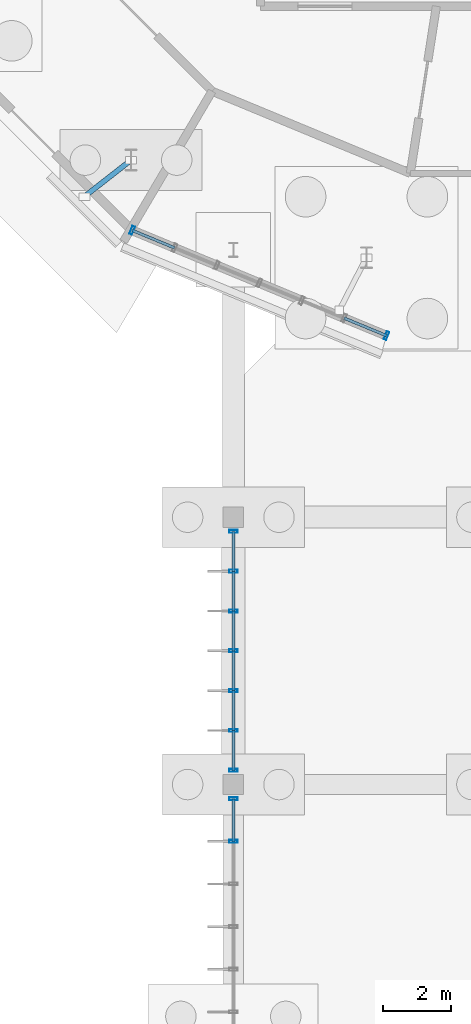
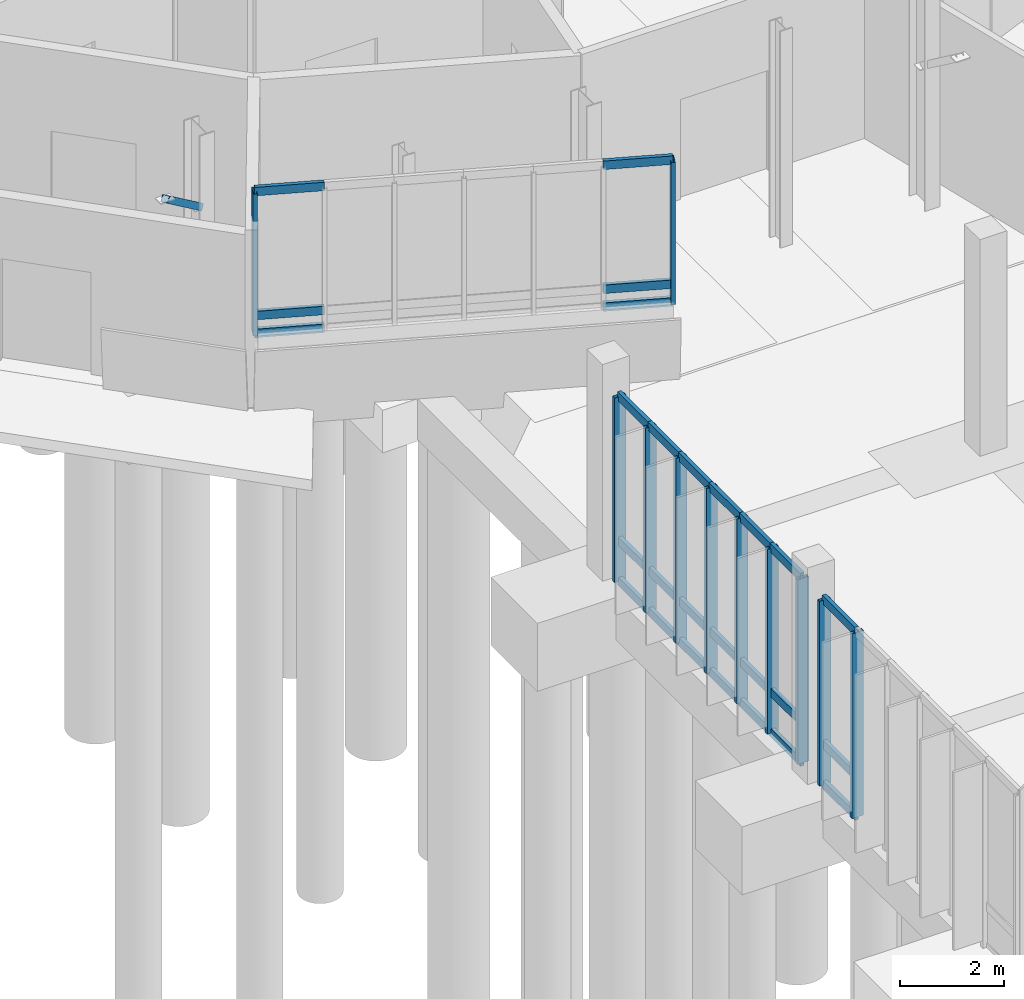
# One storey, part 33 of 119: 39 members, 3 elements without a shape of their own.
"""IFC4 building model written with IfcOpenShell, lengths in metres."""

from ifc_helpers import new_model, si_unit, derived_unit, direction, frame, origin, origin_2d, place, context, subcontext, project, spatial, hollow_rectangle, extrude, material, layer, layer_set, material_profile, profile_set, type_object, element, aggregate, save


model = new_model("IFC4")

# Units and contexts
model_context = context("Model", 3, precision=1e-05, world=origin(), true_north=direction((0.0, 1.0)))
body_context = subcontext(model_context, "Body", "Model", "MODEL_VIEW")
ifc_project = project(units=[si_unit("LENGTHUNIT", "METRE"), si_unit("AREAUNIT", "SQUARE_METRE"), si_unit("VOLUMEUNIT", "CUBIC_METRE"), si_unit("PLANEANGLEUNIT", "RADIAN"), si_unit("MASSUNIT", "GRAM", prefix="KILO"), derived_unit("THERMALTRANSMITTANCEUNIT", [(si_unit("MASSUNIT", "GRAM", prefix="KILO"), 1), (si_unit("TIMEUNIT", "SECOND"), -3), (si_unit("THERMODYNAMICTEMPERATUREUNIT", "KELVIN"), -1)])], contexts=[model_context])

# Site, building, storey
site_placement = place(None, origin())
site = spatial("IfcSite", under=ifc_project, at=site_placement, CompositionType="ELEMENT")
building_placement = place(site_placement, origin())
building = spatial("IfcBuilding", under=site, at=building_placement, Name="Makaiwela Harbour Ferry Terminal", CompositionType="ELEMENT")
storey_placement = place(building_placement, origin())
storey = spatial("IfcBuildingStorey", under=building, at=storey_placement, Name="L00", CompositionType="ELEMENT", Elevation=0.0)

# Curtain wall, members
ifc_material_1 = material(Name="Marine anodised aluminium 6063-T6", Category="aluminium")
ifc_layer_1 = layer(ifc_material_1, 0.199951171875)
ifc_layer_set_1 = layer_set([ifc_layer_1], Name="Marine anodised aluminium 6063-T6")
curtain_wall_type_1 = type_object("IfcCurtainWallType", Name="ENV-CW-01", PredefinedType="USERDEFINED", material=ifc_layer_set_1)
curtain_wall_1_placement = place(storey_placement, origin())
curtain_wall_1 = element("IfcCurtainWall", 1, at=curtain_wall_1_placement, inside=storey, type_object=curtain_wall_type_1, Name="Unitised Curtain Wall CWA-008", ObjectType="UNITIZED CURTAIN WALL", PredefinedType="USERDEFINED")
ifc_material_profile_1 = material_profile(ifc_material_1, hollow_rectangle(XDim=0.0849609375, YDim=0.25, WallThickness=0.0048828125, at=origin_2d()), Name="CWM-250X85")
ifc_profile_set_1 = profile_set([ifc_material_profile_1], Name="Marine anodised aluminium 6063-T6")
member_type_1 = type_object("IfcMemberType", Name="CW-MUL-250", PredefinedType="MULLION", material=ifc_profile_set_1)
member_1_placement = place(storey_placement, frame((26.41064453125, 49.9775390625, 1.47998046875), z_axis=(0.0, 0.0, 1.0), x_axis=(-0.923879532511, 0.382683432365, 0.0)))
member_1 = element("IfcMember", 2, at=member_1_placement, type_object=member_type_1, Name="Curtain Wall Mullion CWA-008-1", PredefinedType="MULLION", context=body_context, shape_type="SweptSolid", body=[
    extrude(hollow_rectangle(XDim=0.0849609375, YDim=0.25, WallThickness=0.0048828125, at=origin_2d()), origin(), (0.0, 0.0, 1.0), 3.340087890625),
])
member_2_placement = place(storey_placement, frame((33.92529296875, 46.864990234375, 1.47998046875), z_axis=(0.0, 0.0, 1.0), x_axis=(-0.923879532511, 0.382683432365, 0.0)))
member_2 = element("IfcMember", 3, at=member_2_placement, type_object=member_type_1, Name="Curtain Wall Mullion CWA-008-7", PredefinedType="MULLION", context=body_context, shape_type="SweptSolid", body=[
    extrude(hollow_rectangle(XDim=0.0849609375, YDim=0.25, WallThickness=0.0048828125, at=origin_2d()), origin(), (0.0, 0.0, 1.0), 3.340087890625),
])

ifc_layer_2 = layer(ifc_material_1, 0.199951171875)
ifc_layer_set_2 = layer_set([ifc_layer_2], Name="Marine anodised aluminium 6063-T6")
curtain_wall_type_2 = type_object("IfcCurtainWallType", Name="ENV-CW-10", PredefinedType="USERDEFINED", material=ifc_layer_set_2)
curtain_wall_2_placement = place(storey_placement, origin())
curtain_wall_2 = element("IfcCurtainWall", 4, at=curtain_wall_2_placement, inside=storey, type_object=curtain_wall_type_2, Name="Unitised Curtain Wall CWA-114", ObjectType="UNITIZED CURTAIN WALL", PredefinedType="USERDEFINED")
member_3_placement = place(storey_placement, frame((29.39990234375, 31.919921875, 0.0), z_axis=(0.0, 0.0, 1.0), x_axis=(0.0, 1.0, 0.0)))
member_3 = element("IfcMember", 5, at=member_3_placement, type_object=member_type_1, Name="Curtain Wall Mullion CWA-114-6", PredefinedType="MULLION", context=body_context, shape_type="SweptSolid", body=[
    extrude(hollow_rectangle(XDim=0.0849609375, YDim=0.25, WallThickness=0.0048828125, at=origin_2d()), origin(), (0.0, 0.0, 1.0), 4.35009765625),
])
member_4_placement = place(storey_placement, frame((29.39990234375, 33.179931640625, 0.0), z_axis=(0.0, 0.0, 1.0), x_axis=(0.0, 1.0, 0.0)))
member_4 = element("IfcMember", 6, at=member_4_placement, type_object=member_type_1, Name="Curtain Wall Mullion CWA-114-7", PredefinedType="MULLION", context=body_context, shape_type="SweptSolid", body=[
    extrude(hollow_rectangle(XDim=0.0849609375, YDim=0.25, WallThickness=0.0048828125, at=origin_2d()), origin(), (0.0, 0.0, 1.0), 4.35009765625),
])

ifc_layer_3 = layer(ifc_material_1, 0.199951171875)
ifc_layer_set_3 = layer_set([ifc_layer_3], Name="Marine anodised aluminium 6063-T6")
curtain_wall_type_3 = type_object("IfcCurtainWallType", Name="ENV-CW-12", PredefinedType="USERDEFINED", material=ifc_layer_set_3)
curtain_wall_3_placement = place(storey_placement, origin())
curtain_wall_3 = element("IfcCurtainWall", 7, at=curtain_wall_3_placement, inside=storey, type_object=curtain_wall_type_3, Name="Unitised Curtain Wall CWA-117", ObjectType="UNITIZED CURTAIN WALL", PredefinedType="USERDEFINED")
member_5_placement = place(storey_placement, frame((29.39990234375, 34.02001953125, 0.0), z_axis=(0.0, 0.0, 1.0), x_axis=(0.0, 1.0, 0.0)))
member_5 = element("IfcMember", 8, at=member_5_placement, type_object=member_type_1, Name="Curtain Wall Mullion CWA-117-1", PredefinedType="MULLION", context=body_context, shape_type="SweptSolid", body=[
    extrude(hollow_rectangle(XDim=0.0849609375, YDim=0.25, WallThickness=0.0048828125, at=origin_2d()), origin(), (0.0, 0.0, 1.0), 4.35009765625),
])
member_6_placement = place(storey_placement, frame((29.39990234375, 35.19677734375, 0.0), z_axis=(0.0, 0.0, 1.0), x_axis=(0.0, 1.0, 0.0)))
member_6 = element("IfcMember", 9, at=member_6_placement, type_object=member_type_1, Name="Curtain Wall Mullion CWA-117-2", PredefinedType="MULLION", context=body_context, shape_type="SweptSolid", body=[
    extrude(hollow_rectangle(XDim=0.0849609375, YDim=0.25, WallThickness=0.0048828125, at=origin_2d()), origin(), (0.0, 0.0, 1.0), 4.35009765625),
])
member_7_placement = place(storey_placement, frame((29.39990234375, 36.373291015625, 0.0), z_axis=(0.0, 0.0, 1.0), x_axis=(0.0, 1.0, 0.0)))
member_7 = element("IfcMember", 10, at=member_7_placement, type_object=member_type_1, Name="Curtain Wall Mullion CWA-117-3", PredefinedType="MULLION", context=body_context, shape_type="SweptSolid", body=[
    extrude(hollow_rectangle(XDim=0.0849609375, YDim=0.25, WallThickness=0.0048828125, at=origin_2d()), origin(), (0.0, 0.0, 1.0), 4.35009765625),
])
member_8_placement = place(storey_placement, frame((29.39990234375, 37.550048828125, 0.0), z_axis=(0.0, 0.0, 1.0), x_axis=(0.0, 1.0, 0.0)))
member_8 = element("IfcMember", 11, at=member_8_placement, type_object=member_type_1, Name="Curtain Wall Mullion CWA-117-4", PredefinedType="MULLION", context=body_context, shape_type="SweptSolid", body=[
    extrude(hollow_rectangle(XDim=0.0849609375, YDim=0.25, WallThickness=0.0048828125, at=origin_2d()), origin(), (0.0, 0.0, 1.0), 4.35009765625),
])
member_9_placement = place(storey_placement, frame((29.39990234375, 38.726806640625, 0.0), z_axis=(0.0, 0.0, 1.0), x_axis=(0.0, 1.0, 0.0)))
member_9 = element("IfcMember", 12, at=member_9_placement, type_object=member_type_1, Name="Curtain Wall Mullion CWA-117-5", PredefinedType="MULLION", context=body_context, shape_type="SweptSolid", body=[
    extrude(hollow_rectangle(XDim=0.0849609375, YDim=0.25, WallThickness=0.0048828125, at=origin_2d()), origin(), (0.0, 0.0, 1.0), 4.35009765625),
])
member_10_placement = place(storey_placement, frame((29.39990234375, 39.9033203125, 0.0), z_axis=(0.0, 0.0, 1.0), x_axis=(0.0, 1.0, 0.0)))
member_10 = element("IfcMember", 13, at=member_10_placement, type_object=member_type_1, Name="Curtain Wall Mullion CWA-117-6", PredefinedType="MULLION", context=body_context, shape_type="SweptSolid", body=[
    extrude(hollow_rectangle(XDim=0.0849609375, YDim=0.25, WallThickness=0.0048828125, at=origin_2d()), origin(), (0.0, 0.0, 1.0), 4.35009765625),
])
member_11_placement = place(storey_placement, frame((29.39990234375, 41.080078125, 0.0), z_axis=(0.0, 0.0, 1.0), x_axis=(0.0, 1.0, 0.0)))
member_11 = element("IfcMember", 14, at=member_11_placement, type_object=member_type_1, Name="Curtain Wall Mullion CWA-117-7", PredefinedType="MULLION", context=body_context, shape_type="SweptSolid", body=[
    extrude(hollow_rectangle(XDim=0.0849609375, YDim=0.25, WallThickness=0.0048828125, at=origin_2d()), origin(), (0.0, 0.0, 1.0), 4.35009765625),
])

# Member
ifc_material_profile_2 = material_profile(ifc_material_1, hollow_rectangle(XDim=0.0849609375, YDim=0.199951171875, WallThickness=0.0048828125, at=origin_2d()), Name="CWT-200X85")
ifc_profile_set_2 = profile_set([ifc_material_profile_2], Name="Marine anodised aluminium 6063-T6")
member_type_2 = type_object("IfcMemberType", Name="CW-TRN-200", PredefinedType="USERDEFINED", material=ifc_profile_set_2)
member_12_placement = place(storey_placement, frame((26.41064453125, 49.9775390625, 1.47998046875), z_axis=(0.923874156886, -0.382696410016, 0.0), x_axis=(0.382696410016, 0.923874156886, 0.0)))
member_12 = element("IfcMember", 15, at=member_12_placement, type_object=member_type_2, Name="Curtain Wall Transom CWA-008-1-1", ObjectType="TRANSOM", PredefinedType="USERDEFINED", context=body_context, shape_type="SweptSolid", body=[
    extrude(hollow_rectangle(XDim=0.0849609375, YDim=0.199951171875, WallThickness=0.0048828125, at=origin_2d()), origin(), (0.0, 0.0, 1.0), 1.355712890625),
])

member_13_placement = place(storey_placement, frame((26.41064453125, 49.9775390625, 1.89990234375), z_axis=(0.923874156886, -0.382696410016, 0.0), x_axis=(0.382696410016, 0.923874156886, 0.0)))
member_13 = element("IfcMember", 16, at=member_13_placement, type_object=member_type_2, Name="Curtain Wall Transom CWA-008-1-2", ObjectType="TRANSOM", PredefinedType="USERDEFINED", context=body_context, shape_type="SweptSolid", body=[
    extrude(hollow_rectangle(XDim=0.0849609375, YDim=0.199951171875, WallThickness=0.0048828125, at=origin_2d()), origin(), (0.0, 0.0, 1.0), 1.355712890625),
])

member_14_placement = place(storey_placement, frame((26.41064453125, 49.9775390625, 4.820068359375), z_axis=(0.923874156886, -0.382696410016, 0.0), x_axis=(0.382696410016, 0.923874156886, 0.0)))
member_14 = element("IfcMember", 17, at=member_14_placement, type_object=member_type_2, Name="Curtain Wall Transom CWA-008-1-3", ObjectType="TRANSOM", PredefinedType="USERDEFINED", context=body_context, shape_type="SweptSolid", body=[
    extrude(hollow_rectangle(XDim=0.0849609375, YDim=0.199951171875, WallThickness=0.0048828125, at=origin_2d()), origin(), (0.0, 0.0, 1.0), 1.355712890625),
])

member_15_placement = place(storey_placement, frame((32.673095703125, 47.3837890625, 1.47998046875), z_axis=(0.923847774587, -0.38276009378, 0.0), x_axis=(0.38276009378, 0.923847774587, 0.0)))
member_15 = element("IfcMember", 18, at=member_15_placement, type_object=member_type_2, Name="Curtain Wall Transom CWA-008-6-1", ObjectType="TRANSOM", PredefinedType="USERDEFINED", context=body_context, shape_type="SweptSolid", body=[
    extrude(hollow_rectangle(XDim=0.0849609375, YDim=0.199951171875, WallThickness=0.0048828125, at=origin_2d()), origin(), (0.0, 0.0, 1.0), 1.35546875),
])

member_16_placement = place(storey_placement, frame((32.673095703125, 47.3837890625, 1.89990234375), z_axis=(0.923847774587, -0.38276009378, 0.0), x_axis=(0.38276009378, 0.923847774587, 0.0)))
member_16 = element("IfcMember", 19, at=member_16_placement, type_object=member_type_2, Name="Curtain Wall Transom CWA-008-6-2", ObjectType="TRANSOM", PredefinedType="USERDEFINED", context=body_context, shape_type="SweptSolid", body=[
    extrude(hollow_rectangle(XDim=0.0849609375, YDim=0.199951171875, WallThickness=0.0048828125, at=origin_2d()), origin(), (0.0, 0.0, 1.0), 1.35546875),
])

member_17_placement = place(storey_placement, frame((32.673095703125, 47.3837890625, 4.820068359375), z_axis=(0.923847774587, -0.38276009378, 0.0), x_axis=(0.38276009378, 0.923847774587, 0.0)))
member_17 = element("IfcMember", 20, at=member_17_placement, type_object=member_type_2, Name="Curtain Wall Transom CWA-008-6-3", ObjectType="TRANSOM", PredefinedType="USERDEFINED", context=body_context, shape_type="SweptSolid", body=[
    extrude(hollow_rectangle(XDim=0.0849609375, YDim=0.199951171875, WallThickness=0.0048828125, at=origin_2d()), origin(), (0.0, 0.0, 1.0), 1.35546875),
])

aggregate(curtain_wall_1, [member_1, member_2, member_12, member_13, member_14, member_15, member_16, member_17])

member_18_placement = place(storey_placement, frame((29.39990234375, 31.919921875, 0.0), z_axis=(0.0, 1.0, 0.0), x_axis=(-1.0, 0.0, 0.0)))
member_18 = element("IfcMember", 21, at=member_18_placement, type_object=member_type_2, Name="Curtain Wall Transom CWA-114-6-1", ObjectType="TRANSOM", PredefinedType="USERDEFINED", context=body_context, shape_type="SweptSolid", body=[
    extrude(hollow_rectangle(XDim=0.0849609375, YDim=0.199951171875, WallThickness=0.0048828125, at=origin_2d()), origin(), (0.0, 0.0, 1.0), 1.260009765625),
])

member_19_placement = place(storey_placement, frame((29.39990234375, 31.919921875, 0.949951171875), z_axis=(0.0, 1.0, 0.0), x_axis=(-1.0, 0.0, 0.0)))
member_19 = element("IfcMember", 22, at=member_19_placement, type_object=member_type_2, Name="Curtain Wall Transom CWA-114-6-2", ObjectType="TRANSOM", PredefinedType="USERDEFINED", context=body_context, shape_type="SweptSolid", body=[
    extrude(hollow_rectangle(XDim=0.0849609375, YDim=0.199951171875, WallThickness=0.0048828125, at=origin_2d()), origin(), (0.0, 0.0, 1.0), 1.260009765625),
])

member_20_placement = place(storey_placement, frame((29.39990234375, 31.919921875, 4.35009765625), z_axis=(0.0, 1.0, 0.0), x_axis=(-1.0, 0.0, 0.0)))
member_20 = element("IfcMember", 23, at=member_20_placement, type_object=member_type_2, Name="Curtain Wall Transom CWA-114-6-3", ObjectType="TRANSOM", PredefinedType="USERDEFINED", context=body_context, shape_type="SweptSolid", body=[
    extrude(hollow_rectangle(XDim=0.0849609375, YDim=0.199951171875, WallThickness=0.0048828125, at=origin_2d()), origin(), (0.0, 0.0, 1.0), 1.260009765625),
])

aggregate(curtain_wall_2, [member_3, member_4, member_18, member_19, member_20])

member_21_placement = place(storey_placement, frame((29.39990234375, 34.02001953125, 0.0), z_axis=(0.0, 1.0, 0.0), x_axis=(-1.0, 0.0, 0.0)))
member_21 = element("IfcMember", 24, at=member_21_placement, type_object=member_type_2, Name="Curtain Wall Transom CWA-117-1-1", ObjectType="TRANSOM", PredefinedType="USERDEFINED", context=body_context, shape_type="SweptSolid", body=[
    extrude(hollow_rectangle(XDim=0.0849609375, YDim=0.199951171875, WallThickness=0.0048828125, at=origin_2d()), origin(), (0.0, 0.0, 1.0), 1.1767578125),
])

member_22_placement = place(storey_placement, frame((29.39990234375, 34.02001953125, 0.949951171875), z_axis=(0.0, 1.0, 0.0), x_axis=(-1.0, 0.0, 0.0)))
member_22 = element("IfcMember", 25, at=member_22_placement, type_object=member_type_2, Name="Curtain Wall Transom CWA-117-1-2", ObjectType="TRANSOM", PredefinedType="USERDEFINED", context=body_context, shape_type="SweptSolid", body=[
    extrude(hollow_rectangle(XDim=0.0849609375, YDim=0.199951171875, WallThickness=0.0048828125, at=origin_2d()), origin(), (0.0, 0.0, 1.0), 1.1767578125),
])

member_23_placement = place(storey_placement, frame((29.39990234375, 34.02001953125, 4.35009765625), z_axis=(0.0, 1.0, 0.0), x_axis=(-1.0, 0.0, 0.0)))
member_23 = element("IfcMember", 26, at=member_23_placement, type_object=member_type_2, Name="Curtain Wall Transom CWA-117-1-3", ObjectType="TRANSOM", PredefinedType="USERDEFINED", context=body_context, shape_type="SweptSolid", body=[
    extrude(hollow_rectangle(XDim=0.0849609375, YDim=0.199951171875, WallThickness=0.0048828125, at=origin_2d()), origin(), (0.0, 0.0, 1.0), 1.1767578125),
])

member_24_placement = place(storey_placement, frame((29.39990234375, 35.19677734375, 0.0), z_axis=(0.0, 1.0, 0.0), x_axis=(-1.0, 0.0, 0.0)))
member_24 = element("IfcMember", 27, at=member_24_placement, type_object=member_type_2, Name="Curtain Wall Transom CWA-117-2-1", ObjectType="TRANSOM", PredefinedType="USERDEFINED", context=body_context, shape_type="SweptSolid", body=[
    extrude(hollow_rectangle(XDim=0.0849609375, YDim=0.199951171875, WallThickness=0.0048828125, at=origin_2d()), origin(), (0.0, 0.0, 1.0), 1.176513671875),
])

member_25_placement = place(storey_placement, frame((29.39990234375, 35.19677734375, 0.949951171875), z_axis=(0.0, 1.0, 0.0), x_axis=(-1.0, 0.0, 0.0)))
member_25 = element("IfcMember", 28, at=member_25_placement, type_object=member_type_2, Name="Curtain Wall Transom CWA-117-2-2", ObjectType="TRANSOM", PredefinedType="USERDEFINED", context=body_context, shape_type="SweptSolid", body=[
    extrude(hollow_rectangle(XDim=0.0849609375, YDim=0.199951171875, WallThickness=0.0048828125, at=origin_2d()), origin(), (0.0, 0.0, 1.0), 1.176513671875),
])

member_26_placement = place(storey_placement, frame((29.39990234375, 35.19677734375, 4.35009765625), z_axis=(0.0, 1.0, 0.0), x_axis=(-1.0, 0.0, 0.0)))
member_26 = element("IfcMember", 29, at=member_26_placement, type_object=member_type_2, Name="Curtain Wall Transom CWA-117-2-3", ObjectType="TRANSOM", PredefinedType="USERDEFINED", context=body_context, shape_type="SweptSolid", body=[
    extrude(hollow_rectangle(XDim=0.0849609375, YDim=0.199951171875, WallThickness=0.0048828125, at=origin_2d()), origin(), (0.0, 0.0, 1.0), 1.176513671875),
])

member_27_placement = place(storey_placement, frame((29.39990234375, 36.373291015625, 0.0), z_axis=(0.0, 1.0, 0.0), x_axis=(-1.0, 0.0, 0.0)))
member_27 = element("IfcMember", 30, at=member_27_placement, type_object=member_type_2, Name="Curtain Wall Transom CWA-117-3-1", ObjectType="TRANSOM", PredefinedType="USERDEFINED", context=body_context, shape_type="SweptSolid", body=[
    extrude(hollow_rectangle(XDim=0.0849609375, YDim=0.199951171875, WallThickness=0.0048828125, at=origin_2d()), origin(), (0.0, 0.0, 1.0), 1.1767578125),
])

member_28_placement = place(storey_placement, frame((29.39990234375, 36.373291015625, 0.949951171875), z_axis=(0.0, 1.0, 0.0), x_axis=(-1.0, 0.0, 0.0)))
member_28 = element("IfcMember", 31, at=member_28_placement, type_object=member_type_2, Name="Curtain Wall Transom CWA-117-3-2", ObjectType="TRANSOM", PredefinedType="USERDEFINED", context=body_context, shape_type="SweptSolid", body=[
    extrude(hollow_rectangle(XDim=0.0849609375, YDim=0.199951171875, WallThickness=0.0048828125, at=origin_2d()), origin(), (0.0, 0.0, 1.0), 1.1767578125),
])

member_29_placement = place(storey_placement, frame((29.39990234375, 36.373291015625, 4.35009765625), z_axis=(0.0, 1.0, 0.0), x_axis=(-1.0, 0.0, 0.0)))
member_29 = element("IfcMember", 32, at=member_29_placement, type_object=member_type_2, Name="Curtain Wall Transom CWA-117-3-3", ObjectType="TRANSOM", PredefinedType="USERDEFINED", context=body_context, shape_type="SweptSolid", body=[
    extrude(hollow_rectangle(XDim=0.0849609375, YDim=0.199951171875, WallThickness=0.0048828125, at=origin_2d()), origin(), (0.0, 0.0, 1.0), 1.1767578125),
])

member_30_placement = place(storey_placement, frame((29.39990234375, 37.550048828125, 0.0), z_axis=(0.0, 1.0, 0.0), x_axis=(-1.0, 0.0, 0.0)))
member_30 = element("IfcMember", 33, at=member_30_placement, type_object=member_type_2, Name="Curtain Wall Transom CWA-117-4-1", ObjectType="TRANSOM", PredefinedType="USERDEFINED", context=body_context, shape_type="SweptSolid", body=[
    extrude(hollow_rectangle(XDim=0.0849609375, YDim=0.199951171875, WallThickness=0.0048828125, at=origin_2d()), origin(), (0.0, 0.0, 1.0), 1.1767578125),
])

member_31_placement = place(storey_placement, frame((29.39990234375, 37.550048828125, 0.949951171875), z_axis=(0.0, 1.0, 0.0), x_axis=(-1.0, 0.0, 0.0)))
member_31 = element("IfcMember", 34, at=member_31_placement, type_object=member_type_2, Name="Curtain Wall Transom CWA-117-4-2", ObjectType="TRANSOM", PredefinedType="USERDEFINED", context=body_context, shape_type="SweptSolid", body=[
    extrude(hollow_rectangle(XDim=0.0849609375, YDim=0.199951171875, WallThickness=0.0048828125, at=origin_2d()), origin(), (0.0, 0.0, 1.0), 1.1767578125),
])

member_32_placement = place(storey_placement, frame((29.39990234375, 37.550048828125, 4.35009765625), z_axis=(0.0, 1.0, 0.0), x_axis=(-1.0, 0.0, 0.0)))
member_32 = element("IfcMember", 35, at=member_32_placement, type_object=member_type_2, Name="Curtain Wall Transom CWA-117-4-3", ObjectType="TRANSOM", PredefinedType="USERDEFINED", context=body_context, shape_type="SweptSolid", body=[
    extrude(hollow_rectangle(XDim=0.0849609375, YDim=0.199951171875, WallThickness=0.0048828125, at=origin_2d()), origin(), (0.0, 0.0, 1.0), 1.1767578125),
])

member_33_placement = place(storey_placement, frame((29.39990234375, 38.726806640625, 0.0), z_axis=(0.0, 1.0, 0.0), x_axis=(-1.0, 0.0, 0.0)))
member_33 = element("IfcMember", 36, at=member_33_placement, type_object=member_type_2, Name="Curtain Wall Transom CWA-117-5-1", ObjectType="TRANSOM", PredefinedType="USERDEFINED", context=body_context, shape_type="SweptSolid", body=[
    extrude(hollow_rectangle(XDim=0.0849609375, YDim=0.199951171875, WallThickness=0.0048828125, at=origin_2d()), origin(), (0.0, 0.0, 1.0), 1.176513671875),
])

member_34_placement = place(storey_placement, frame((29.39990234375, 38.726806640625, 0.949951171875), z_axis=(0.0, 1.0, 0.0), x_axis=(-1.0, 0.0, 0.0)))
member_34 = element("IfcMember", 37, at=member_34_placement, type_object=member_type_2, Name="Curtain Wall Transom CWA-117-5-2", ObjectType="TRANSOM", PredefinedType="USERDEFINED", context=body_context, shape_type="SweptSolid", body=[
    extrude(hollow_rectangle(XDim=0.0849609375, YDim=0.199951171875, WallThickness=0.0048828125, at=origin_2d()), origin(), (0.0, 0.0, 1.0), 1.176513671875),
])

member_35_placement = place(storey_placement, frame((29.39990234375, 38.726806640625, 4.35009765625), z_axis=(0.0, 1.0, 0.0), x_axis=(-1.0, 0.0, 0.0)))
member_35 = element("IfcMember", 38, at=member_35_placement, type_object=member_type_2, Name="Curtain Wall Transom CWA-117-5-3", ObjectType="TRANSOM", PredefinedType="USERDEFINED", context=body_context, shape_type="SweptSolid", body=[
    extrude(hollow_rectangle(XDim=0.0849609375, YDim=0.199951171875, WallThickness=0.0048828125, at=origin_2d()), origin(), (0.0, 0.0, 1.0), 1.176513671875),
])

member_36_placement = place(storey_placement, frame((29.39990234375, 39.9033203125, 0.0), z_axis=(0.0, 1.0, 0.0), x_axis=(-1.0, 0.0, 0.0)))
member_36 = element("IfcMember", 39, at=member_36_placement, type_object=member_type_2, Name="Curtain Wall Transom CWA-117-6-1", ObjectType="TRANSOM", PredefinedType="USERDEFINED", context=body_context, shape_type="SweptSolid", body=[
    extrude(hollow_rectangle(XDim=0.0849609375, YDim=0.199951171875, WallThickness=0.0048828125, at=origin_2d()), origin(), (0.0, 0.0, 1.0), 1.1767578125),
])

member_37_placement = place(storey_placement, frame((29.39990234375, 39.9033203125, 0.949951171875), z_axis=(0.0, 1.0, 0.0), x_axis=(-1.0, 0.0, 0.0)))
member_37 = element("IfcMember", 40, at=member_37_placement, type_object=member_type_2, Name="Curtain Wall Transom CWA-117-6-2", ObjectType="TRANSOM", PredefinedType="USERDEFINED", context=body_context, shape_type="SweptSolid", body=[
    extrude(hollow_rectangle(XDim=0.0849609375, YDim=0.199951171875, WallThickness=0.0048828125, at=origin_2d()), origin(), (0.0, 0.0, 1.0), 1.1767578125),
])

member_38_placement = place(storey_placement, frame((29.39990234375, 39.9033203125, 4.35009765625), z_axis=(0.0, 1.0, 0.0), x_axis=(-1.0, 0.0, 0.0)))
member_38 = element("IfcMember", 41, at=member_38_placement, type_object=member_type_2, Name="Curtain Wall Transom CWA-117-6-3", ObjectType="TRANSOM", PredefinedType="USERDEFINED", context=body_context, shape_type="SweptSolid", body=[
    extrude(hollow_rectangle(XDim=0.0849609375, YDim=0.199951171875, WallThickness=0.0048828125, at=origin_2d()), origin(), (0.0, 0.0, 1.0), 1.1767578125),
])

aggregate(curtain_wall_3, [member_5, member_6, member_7, member_8, member_9, member_10, member_11, member_21, member_22, member_23, member_24, member_25, member_26, member_27, member_28, member_29, member_30, member_31, member_32, member_33, member_34, member_35, member_36, member_37, member_38])

ifc_material_2 = material(Name="Steel ASTM A500 Grade C", Category="steel")
ifc_material_profile_3 = material_profile(ifc_material_2, hollow_rectangle(XDim=0.152099609375, YDim=0.152099609375, WallThickness=0.0087890625, at=origin_2d()), Name="HSS6X6X3/8")
ifc_profile_set_3 = profile_set([ifc_material_profile_3], Name="Steel ASTM A500 Grade C")
member_type_3 = type_object("IfcMemberType", Name="STR-STT-HSS6", PredefinedType="STRUT", material=ifc_profile_set_3)
member_39_placement = place(storey_placement, frame((26.37744140625, 52.052490234375, 3.199951171875), z_axis=(-0.630566069949, -0.492486723423, 0.599869368013), x_axis=(0.615533034315, -0.788111085867, 0.0)))
element("IfcMember", 42, at=member_39_placement, inside=storey, type_object=member_type_3, Name="Structural Member SR-01", PredefinedType="STRUT", context=body_context, shape_type="SweptSolid", body=[
    extrude(hollow_rectangle(XDim=0.152099609375, YDim=0.152099609375, WallThickness=0.0087890625, at=origin_2d()), origin(), (0.0, 0.0, 1.0), 2.187255859375),
])

save(model, "model.ifc")
